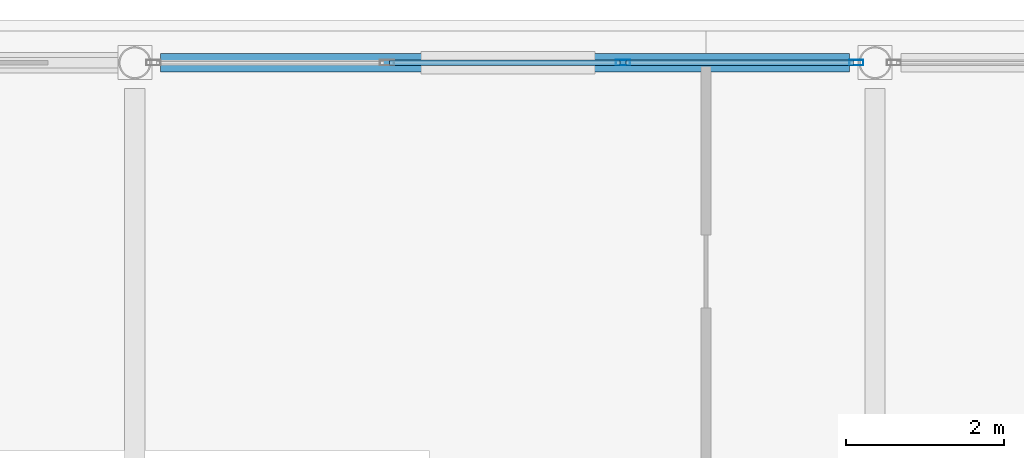
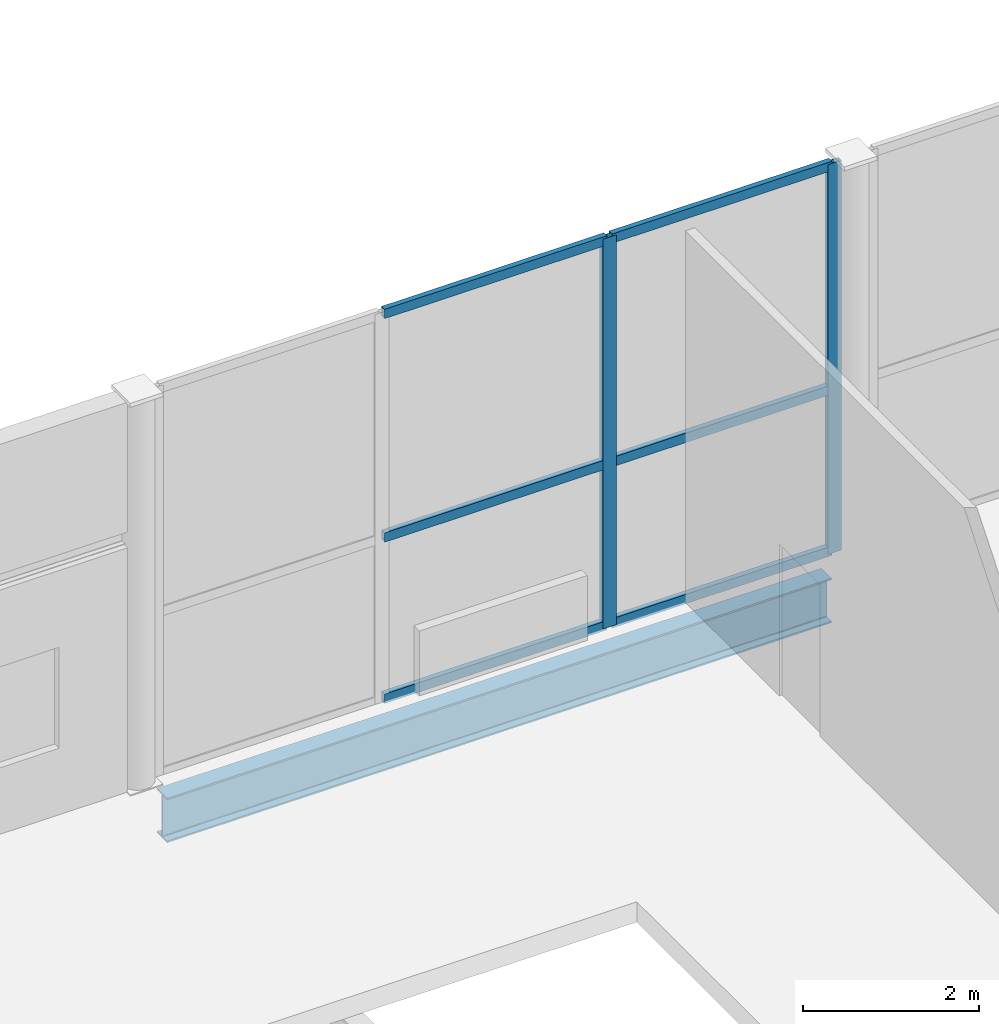
# One storey, part 47 of 83: 8 members, 1 beam, 1 element without a shape of its own.
"""IFC4 building model written with IfcOpenShell, lengths in metres."""

import ifcopenshell
import ifcopenshell.guid

model = None  # the IFC model being written
_history = None  # IfcOwnerHistory: only IFC2X3 demands one
_inside = {}  # id of a spatial element -> (the spatial element, [elements in it])
_under = {}  # id of a project, library or spatial element -> (it, [spatial elements below it])
_declared = {}  # id of a project -> (the project, [libraries it declares])
_typed = {}  # id of a type object -> (the type object, [elements of that type])
_made_of = {}  # id of a material, layer set ... -> (it, [elements and type objects made of it])


def new_model(schema):
    """Start an empty IFC model of exactly this schema.

    Asked for "IFC4X3", IfcOpenShell would pick the latest addendum, in which some entities
    have other attributes; the version numbers below select the first issue.
    IFC2X3 requires an IfcOwnerHistory on every rooted entity: one is made here for all.
    """
    global model, _history
    if schema == "IFC4X3":
        model = ifcopenshell.file(schema_version=(4, 3, 0, 0))
    else:
        model = ifcopenshell.file(schema=schema)
    _inside.clear()
    _under.clear()
    _declared.clear()
    _typed.clear()
    _made_of.clear()
    _history = None
    if model.schema == "IFC2X3":
        org = make("IfcOrganization", Name="unknown")
        user = make(
            "IfcPersonAndOrganization",
            ThePerson=make("IfcPerson", FamilyName="unknown"),
            TheOrganization=org,
        )
        app = make(
            "IfcApplication",
            ApplicationDeveloper=org,
            Version="unknown",
            ApplicationFullName="unknown",
            ApplicationIdentifier="unknown",
        )
        _history = make(
            "IfcOwnerHistory",
            OwningUser=user,
            OwningApplication=app,
            ChangeAction="ADDED",
            CreationDate=0,
        )
    return model


def make(cls, **values):
    """One entity of the class cls with the attributes given. An attribute that is None is left unset."""
    return model.create_entity(
        cls, **{name: value for name, value in values.items() if value is not None}
    )


def rooted(cls, **values):
    """An entity with a GlobalId (a new one), such as an element, a storey or a relation."""
    return make(cls, GlobalId=ifcopenshell.guid.new(), OwnerHistory=_history, **values)


def si_unit(unit_type, name, prefix=None):
    """IfcSIUnit, for example si_unit("LENGTHUNIT", "METRE", prefix="MILLI")."""
    return make("IfcSIUnit", UnitType=unit_type, Prefix=prefix, Name=name)


def assignment(units):
    """IfcUnitAssignment: the units of a project."""
    return None if units is None else make("IfcUnitAssignment", Units=units)


def point(xyz):
    """IfcCartesianPoint."""
    return None if xyz is None else make("IfcCartesianPoint", Coordinates=xyz)


def direction(xyz):
    """IfcDirection."""
    return None if xyz is None else make("IfcDirection", DirectionRatios=xyz)


def frame(location, z_axis=None, x_axis=None):
    """IfcAxis2Placement3D, a coordinate frame: its origin and axes. An axis left out is left unset."""
    return make(
        "IfcAxis2Placement3D",
        Location=point(location),
        Axis=direction(z_axis),
        RefDirection=direction(x_axis),
    )


def frame_2d(location, x_axis=None):
    """IfcAxis2Placement2D, a coordinate frame in the plane: its origin and x axis."""
    return make(
        "IfcAxis2Placement2D", Location=point(location), RefDirection=direction(x_axis)
    )


def origin():
    """The frame at (0, 0, 0) with its axes left unset."""
    return frame((0.0, 0.0, 0.0))


def origin_2d():
    """The frame at (0, 0) in the plane with its x axis left unset."""
    return frame_2d((0.0, 0.0))


def place(relative_to, where):
    """IfcLocalPlacement: puts the frame where relative to a parent placement (None: the world)."""
    return make(
        "IfcLocalPlacement", PlacementRelTo=relative_to, RelativePlacement=where
    )


def context(
    kind, dimensions, precision=None, world=None, true_north=None, identifier=None
):
    """IfcGeometricRepresentationContext, for example the 3D "Model" context."""
    return make(
        "IfcGeometricRepresentationContext",
        ContextIdentifier=identifier,
        ContextType=kind,
        CoordinateSpaceDimension=dimensions,
        Precision=precision,
        WorldCoordinateSystem=world,
        TrueNorth=true_north,
    )


def subcontext(parent, identifier, kind, view, scale=None):
    """IfcGeometricRepresentationSubContext, for example "Body" below "Model"."""
    return make(
        "IfcGeometricRepresentationSubContext",
        ContextIdentifier=identifier,
        ContextType=kind,
        ParentContext=parent,
        TargetScale=scale,
        TargetView=view,
    )


def project(units=None, contexts=None):
    """IfcProject with its units and contexts."""
    return rooted(
        "IfcProject",
        Name="project",
        RepresentationContexts=contexts,
        UnitsInContext=assignment(units),
    )


def spatial(cls, under=None, at=None, **own):
    """A site, building, storey or space (cls), placed at a placement, below another one or the project."""
    s = rooted(cls, ObjectPlacement=at, **own)
    if under is not None:
        _under.setdefault(under.id(), (under, []))[1].append(s)
    return s


def profile(cls, at=None, kind="AREA", **sizes):
    """A parametric profile (cls). Its sizes go by their IFC names, for example OverallWidth=200.0."""
    return make(cls, ProfileType=kind, Position=at, **sizes)


def hollow_rectangle(**sizes):
    """IfcRectangleHollowProfileDef."""
    return profile("IfcRectangleHollowProfileDef", **sizes)


def i_section(**sizes):
    """IfcIShapeProfileDef."""
    return profile("IfcIShapeProfileDef", **sizes)


def extrude(swept, where, along, depth):
    """IfcExtrudedAreaSolid: the profile swept, set in the frame where, extruded along a direction by depth."""
    return make(
        "IfcExtrudedAreaSolid",
        SweptArea=swept,
        Position=where,
        ExtrudedDirection=direction(along),
        Depth=depth,
    )


def shape(context_of_items, identifier, shape_type, items):
    """IfcShapeRepresentation: the items that make up one representation, for example the "Body"."""
    return make(
        "IfcShapeRepresentation",
        ContextOfItems=context_of_items,
        RepresentationIdentifier=identifier,
        RepresentationType=shape_type,
        Items=items,
    )


def material(Name=None, Category=None):
    """IfcMaterial."""
    return make("IfcMaterial", Name=Name, Category=Category)


def layer(
    of_material, thickness, ventilated=None, Name=None, Category=None, Priority=None
):
    """IfcMaterialLayer: one layer of a wall or slab, of a material (None: an air gap)."""
    return make(
        "IfcMaterialLayer",
        Material=of_material,
        LayerThickness=thickness,
        IsVentilated=ventilated,
        Name=Name,
        Category=Category,
        Priority=Priority,
    )


def layer_set(layers, Name=None):
    """IfcMaterialLayerSet."""
    return make("IfcMaterialLayerSet", MaterialLayers=layers, LayerSetName=Name)


def material_profile(
    of_material, cross_section, Name=None, Category=None, Priority=None
):
    """IfcMaterialProfile: a cross section and its material."""
    return make(
        "IfcMaterialProfile",
        Name=Name,
        Material=of_material,
        Profile=cross_section,
        Priority=Priority,
        Category=Category,
    )


def profile_set(profiles, Name=None, composite=None):
    """IfcMaterialProfileSet."""
    return make(
        "IfcMaterialProfileSet",
        Name=Name,
        MaterialProfiles=profiles,
        CompositeProfile=composite,
    )


def made_of(thing, what):
    """Note that an element or type object is made of a material, layer set ...; save() writes the relation."""
    if what is not None:
        _made_of.setdefault(what.id(), (what, []))[1].append(thing)
    return thing


def type_object(cls, material=None, **own):
    """A type object (cls), such as IfcWallType, which elements share."""
    return made_of(rooted(cls, **own), material)


def element(
    cls,
    number,
    at=None,
    inside=None,
    cuts=None,
    type_object=None,
    material=None,
    context=None,
    identifier="Body",
    shape_type=None,
    held_by="IfcProductDefinitionShape",
    body=None,
    shapes=None,
    **own,
):
    """One element of the class cls, such as IfcWall. Its Tag is "e" and its number.

    at: its placement. inside: the storey or other place that contains it. cuts: it is an
    opening in that element (IfcRelVoidsElement). A single representation is given by context,
    identifier, shape_type and body (its items); several are given by shapes. held_by: the class
    of the entity that holds the representations. save() writes the other relations.
    """
    e = rooted(cls, Tag="e%d" % number, ObjectPlacement=at, **own)
    if body is not None:
        shapes = [shape(context, identifier, shape_type, body)]
    if shapes is not None:
        e.Representation = make(held_by, Representations=shapes)
    if inside is not None:
        _inside.setdefault(inside.id(), (inside, []))[1].append(e)
    if cuts is not None:
        rooted(
            "IfcRelVoidsElement", RelatingBuildingElement=cuts, RelatedOpeningElement=e
        )
    if type_object is not None:
        _typed.setdefault(type_object.id(), (type_object, []))[1].append(e)
    return made_of(e, material)


def aggregate(whole, parts):
    """IfcRelAggregates: a whole, such as a stair, and the parts it consists of."""
    return rooted("IfcRelAggregates", RelatingObject=whole, RelatedObjects=parts)


def save(model, path):
    """Write the relations noted so far, then the file.

    IfcRelAggregates (storeys below a building ...), IfcRelContainedInSpatialStructure (elements
    in a storey), IfcRelDefinesByType, IfcRelAssociatesMaterial and IfcRelDeclares: one each for
    every whole, place, type object, material and project.
    """
    for whole, parts in _under.values():
        aggregate(whole, parts)
    for where, things in _inside.values():
        rooted(
            "IfcRelContainedInSpatialStructure",
            RelatedElements=things,
            RelatingStructure=where,
        )
    for kind, things in _typed.values():
        rooted("IfcRelDefinesByType", RelatedObjects=things, RelatingType=kind)
    for what, things in _made_of.values():
        rooted("IfcRelAssociatesMaterial", RelatedObjects=things, RelatingMaterial=what)
    for by, libraries in _declared.values():
        rooted("IfcRelDeclares", RelatingContext=by, RelatedDefinitions=libraries)
    model.write(path)


model = new_model("IFC4")

# Units and contexts
model_context = context("Model", 3, precision=1e-05, world=origin(), true_north=direction((0.0, 1.0)))
body_context = subcontext(model_context, "Body", "Model", "MODEL_VIEW")
ifc_project = project(units=[si_unit("LENGTHUNIT", "METRE"), si_unit("AREAUNIT", "SQUARE_METRE"), si_unit("VOLUMEUNIT", "CUBIC_METRE"), si_unit("PLANEANGLEUNIT", "RADIAN"), si_unit("MASSUNIT", "GRAM", prefix="KILO")], contexts=[model_context])

# Site, building, storey
site_placement = place(None, origin())
site = spatial("IfcSite", under=ifc_project, at=site_placement, CompositionType="ELEMENT")
building_placement = place(site_placement, origin())
building = spatial("IfcBuilding", under=site, at=building_placement, Name="Quillay Park Conservatory", CompositionType="ELEMENT")
storey_placement = place(building_placement, origin())
storey = spatial("IfcBuildingStorey", under=building, at=storey_placement, Name="L00", CompositionType="ELEMENT", Elevation=0.0)

# Curtain wall, members
ifc_material_1 = material(Name="Thermally Broken Anodised Aluminium 6063-T6", Category="aluminium")
ifc_layer = layer(ifc_material_1, 0.219970703125)
ifc_layer_set = layer_set([ifc_layer], Name="UNITISED CURTAIN WALL CONSERVATORY (Thermally Broken Anodised Aluminium 6063-T6)")
curtain_wall_type = type_object("IfcCurtainWallType", Name="UNITISED CURTAIN WALL CONSERVATORY", PredefinedType="USERDEFINED", material=ifc_layer_set)
curtain_wall_placement = place(storey_placement, origin())
curtain_wall = element("IfcCurtainWall", 1, at=curtain_wall_placement, inside=storey, type_object=curtain_wall_type, Name="L00 Unitised Curtain Wall 157", ObjectType="UNITISED CURTAIN WALL", PredefinedType="USERDEFINED")
ifc_material_2 = material(Name="Thermally Broken Anodised Aluminium 6063-T6", Category="aluminium")
ifc_material_profile_1 = material_profile(ifc_material_2, hollow_rectangle(XDim=0.070068359375, YDim=0.179931640625, WallThickness=0.00390625, at=origin_2d()), Name="AL70x180x4")
ifc_profile_set_1 = profile_set([ifc_material_profile_1], Name="Thermally Broken Anodised Aluminium 6063-T6")
member_type_1 = type_object("IfcMemberType", Name="CURTAIN WALL MULLION 70 X180", PredefinedType="MULLION", material=ifc_profile_set_1)
member_1_placement = place(storey_placement, frame((92.953125, 113.39990234375, 0.0), z_axis=(0.0, 0.0, 1.0), x_axis=(0.0, 1.0, 0.0)))
member_1 = element("IfcMember", 2, at=member_1_placement, type_object=member_type_1, Name="CW-C1 mullion 3", PredefinedType="MULLION", context=body_context, shape_type="SweptSolid", body=[
    extrude(hollow_rectangle(XDim=0.070068359375, YDim=0.179931640625, WallThickness=0.00390625, at=origin_2d()), origin(), (0.0, 0.0, 1.0), 5.39990234375),
])
member_2_placement = place(storey_placement, frame((95.90185546875, 113.39990234375, 0.0), z_axis=(0.0, 0.0, 1.0), x_axis=(0.0, 1.0, 0.0)))
member_2 = element("IfcMember", 3, at=member_2_placement, type_object=member_type_1, Name="CW-C1 mullion 4", PredefinedType="MULLION", context=body_context, shape_type="SweptSolid", body=[
    extrude(hollow_rectangle(XDim=0.070068359375, YDim=0.179931640625, WallThickness=0.00390625, at=origin_2d()), origin(), (0.0, 0.0, 1.0), 5.39990234375),
])
ifc_material_3 = material(Name="Thermally Broken Anodised Aluminium 6063-T6", Category="aluminium")
ifc_material_profile_2 = material_profile(ifc_material_3, hollow_rectangle(XDim=0.070068359375, YDim=0.1298828125, WallThickness=0.003173828125, at=origin_2d()), Name="AL70x130x3.2")
ifc_profile_set_2 = profile_set([ifc_material_profile_2], Name="Thermally Broken Anodised Aluminium 6063-T6")
member_type_2 = type_object("IfcMemberType", Name="CURTAIN WALL TRANSOM 70 X130", PredefinedType="USERDEFINED", material=ifc_profile_set_2)
member_3_placement = place(storey_placement, frame((90.004150390625, 113.39990234375, 0.034912109375), z_axis=(1.0, 0.0, 0.0), x_axis=(0.0, 1.0, 0.0)))
member_3 = element("IfcMember", 4, at=member_3_placement, type_object=member_type_2, Name="CW-C1 transom 2.1", ObjectType="TRANSOM", PredefinedType="USERDEFINED", context=body_context, shape_type="SweptSolid", body=[
    extrude(hollow_rectangle(XDim=0.070068359375, YDim=0.1298828125, WallThickness=0.003173828125, at=origin_2d()), origin(), (0.0, 0.0, 1.0), 2.913818359375),
])
member_4_placement = place(storey_placement, frame((90.004150390625, 113.39990234375, 2.26806640625), z_axis=(1.0, 0.0, 0.0), x_axis=(0.0, 1.0, 0.0)))
member_4 = element("IfcMember", 5, at=member_4_placement, type_object=member_type_2, Name="CW-C1 transom 2.2", ObjectType="TRANSOM", PredefinedType="USERDEFINED", context=body_context, shape_type="SweptSolid", body=[
    extrude(hollow_rectangle(XDim=0.070068359375, YDim=0.1298828125, WallThickness=0.003173828125, at=origin_2d()), origin(), (0.0, 0.0, 1.0), 2.913818359375),
])
member_5_placement = place(storey_placement, frame((90.004150390625, 113.39990234375, 5.364990234375), z_axis=(1.0, 0.0, 0.0), x_axis=(0.0, 1.0, 0.0)))
member_5 = element("IfcMember", 6, at=member_5_placement, type_object=member_type_2, Name="CW-C1 transom 2.3", ObjectType="TRANSOM", PredefinedType="USERDEFINED", context=body_context, shape_type="SweptSolid", body=[
    extrude(hollow_rectangle(XDim=0.070068359375, YDim=0.1298828125, WallThickness=0.003173828125, at=origin_2d()), origin(), (0.0, 0.0, 1.0), 2.913818359375),
])
member_6_placement = place(storey_placement, frame((92.988037109375, 113.39990234375, 0.034912109375), z_axis=(1.0, 0.0, 0.0), x_axis=(0.0, 1.0, 0.0)))
member_6 = element("IfcMember", 7, at=member_6_placement, type_object=member_type_2, Name="CW-C1 transom 3.1", ObjectType="TRANSOM", PredefinedType="USERDEFINED", context=body_context, shape_type="SweptSolid", body=[
    extrude(hollow_rectangle(XDim=0.070068359375, YDim=0.1298828125, WallThickness=0.003173828125, at=origin_2d()), origin(), (0.0, 0.0, 1.0), 2.87890625),
])
member_7_placement = place(storey_placement, frame((92.988037109375, 113.39990234375, 2.26806640625), z_axis=(1.0, 0.0, 0.0), x_axis=(0.0, 1.0, 0.0)))
member_7 = element("IfcMember", 8, at=member_7_placement, type_object=member_type_2, Name="CW-C1 transom 3.2", ObjectType="TRANSOM", PredefinedType="USERDEFINED", context=body_context, shape_type="SweptSolid", body=[
    extrude(hollow_rectangle(XDim=0.070068359375, YDim=0.1298828125, WallThickness=0.003173828125, at=origin_2d()), origin(), (0.0, 0.0, 1.0), 2.87890625),
])
member_8_placement = place(storey_placement, frame((92.988037109375, 113.39990234375, 5.364990234375), z_axis=(1.0, 0.0, 0.0), x_axis=(0.0, 1.0, 0.0)))
member_8 = element("IfcMember", 9, at=member_8_placement, type_object=member_type_2, Name="CW-C1 transom 3.3", ObjectType="TRANSOM", PredefinedType="USERDEFINED", context=body_context, shape_type="SweptSolid", body=[
    extrude(hollow_rectangle(XDim=0.070068359375, YDim=0.1298828125, WallThickness=0.003173828125, at=origin_2d()), origin(), (0.0, 0.0, 1.0), 2.87890625),
])
aggregate(curtain_wall, [member_1, member_2, member_3, member_4, member_5, member_6, member_7, member_8])

# Beam
ifc_material_4 = material(Name="Steel ASTM A992 Grade 50", Category="steel")
ifc_material_profile_3 = material_profile(ifc_material_4, i_section(OverallWidth=0.22998046875, OverallDepth=0.616943359375, WebThickness=0.01318359375, FlangeThickness=0.022216796875, FilletRadius=0.014892578125, at=origin_2d()), Name="W610x140")
ifc_profile_set_3 = profile_set([ifc_material_profile_3], Name="Steel ASTM A992 Grade 50")
beam_type = type_object("IfcBeamType", Name="PRIMARY FLOOR GIRDER W610 X140", PredefinedType="BEAM", material=ifc_profile_set_3)
beam_placement = place(storey_placement, frame((87.1083984375, 113.39990234375, -0.58837890625), z_axis=(1.0, 0.0, 0.0), x_axis=(0.0, 1.0, 0.0)))
element("IfcBeam", 10, at=beam_placement, inside=storey, type_object=beam_type, Name="L00 beam BM-V1L0-1626", PredefinedType="BEAM", context=body_context, shape_type="SweptSolid", body=[
    extrude(i_section(OverallWidth=0.22998046875, OverallDepth=0.616943359375, WebThickness=0.01318359375, FlangeThickness=0.022216796875, FilletRadius=0.014892578125, at=origin_2d()), origin(), (0.0, 0.0, 1.0), 8.70556640625),
])

save(model, "model.ifc")
